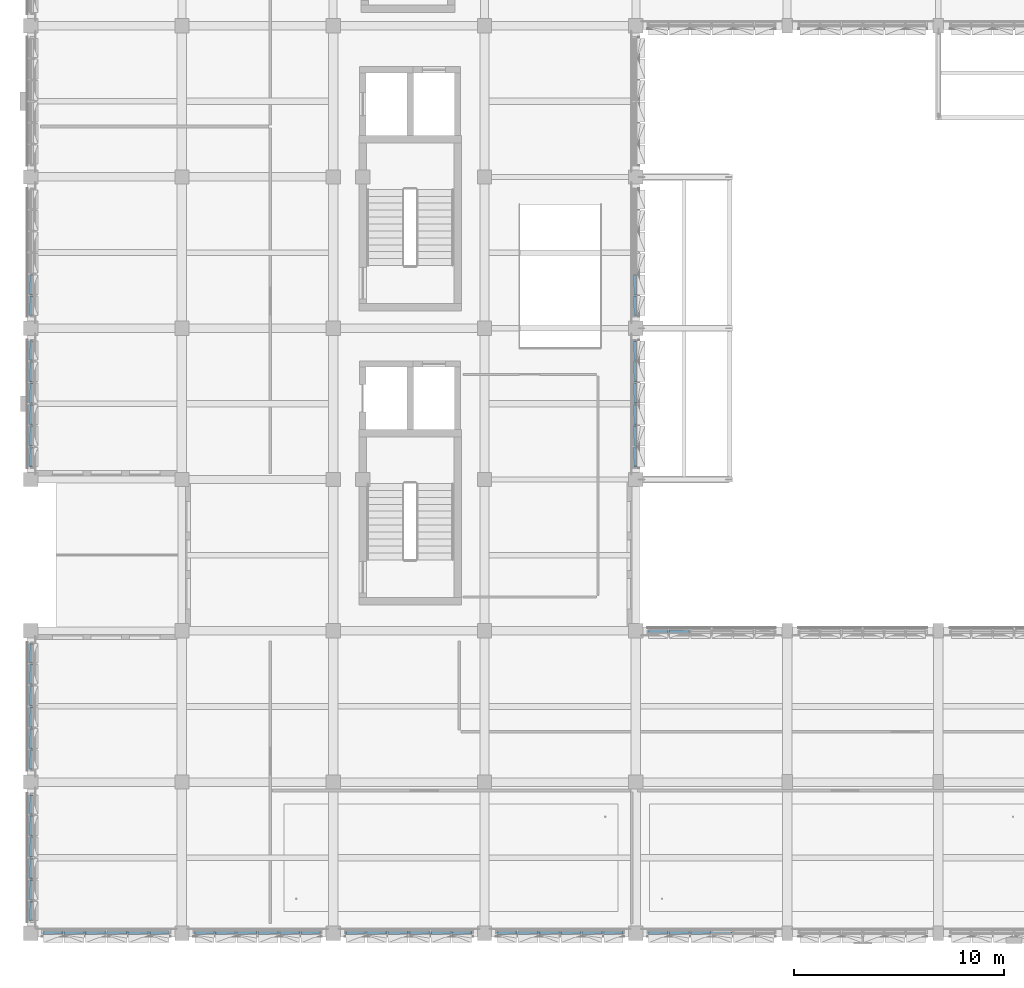
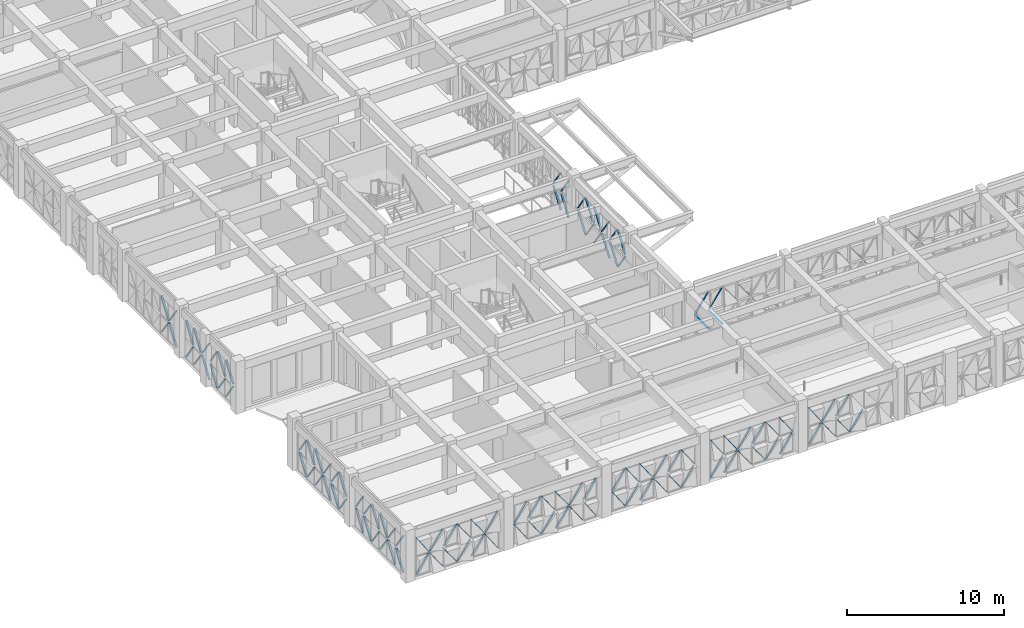
# One storey, part 51 of 88: 115 discrete accessories.
"""IFC4 building model written with IfcOpenShell, lengths in metres."""

from ifc_helpers import new_model, si_unit, direction, frame, origin, origin_2d, place, context, subcontext, project, spatial, rectangle, extrude, material, type_object, element, save


model = new_model("IFC4")

# Units and contexts
model_context = context("Model", 3, precision=1e-05, world=origin(), true_north=direction((0.0, 1.0)))
body_context = subcontext(model_context, "Body", "Model", "MODEL_VIEW")
ifc_project = project(units=[si_unit("LENGTHUNIT", "METRE"), si_unit("AREAUNIT", "SQUARE_METRE"), si_unit("VOLUMEUNIT", "CUBIC_METRE"), si_unit("PLANEANGLEUNIT", "RADIAN"), si_unit("MASSUNIT", "GRAM", prefix="KILO")], contexts=[model_context])

# Site, building, storey
site_placement = place(None, origin())
site = spatial("IfcSite", under=ifc_project, at=site_placement, CompositionType="ELEMENT")
building_placement = place(site_placement, origin())
building = spatial("IfcBuilding", under=site, at=building_placement, Name="Alvorim Cloister Faculty of Sciences", CompositionType="ELEMENT")
storey_placement = place(building_placement, frame((0.0, 0.0, 4.5)))
storey = spatial("IfcBuildingStorey", under=building, at=storey_placement, Name="L01", CompositionType="ELEMENT", Elevation=4.5)

# Discrete accessories
ifc_material = material(Name="Aluminium Alloy 6063-T6", Category="aluminium")
discrete_accessory_type = type_object("IfcDiscreteAccessoryType", Name="ACC-DIAG-BAR", PredefinedType="BRACKET", material=ifc_material)
for number, where, z_axis, x_axis, name in (
    (1, (0.0224609375, 22.215087890625, 1.5048828125), (0.006169296436, 0.559299386617, -0.828942782049), (-0.999939170679, 0.011029729889, 0.0), "Diagonal Cassette Glazing Bracket ACC-00001"),
    (2, (0.0224609375, 22.215087890625, 1.6650390625), (0.006169296436, 0.559299386617, 0.828942782049), (-0.999939170679, 0.011029729889, 0.0), "Diagonal Cassette Glazing Bracket ACC-00002"),
):
    element("IfcDiscreteAccessory", number, at=place(storey_placement, frame(where, z_axis=z_axis, x_axis=x_axis)), inside=storey, type_object=discrete_accessory_type, Name=name, PredefinedType="BRACKET", context=body_context, shape_type="SweptSolid", body=[
        extrude(rectangle(XDim=0.139892578125, YDim=0.044921875, at=origin_2d()), origin(), (0.0, 0.0, 1.0), 1.62255859375),
    ])
for number, where, z_axis, x_axis, name in (
    (3, (0.0224609375, 23.197509765625, 1.5048828125), (0.00608926839, 0.574916047252, -0.818189745366), (-0.999943913952, 0.010590984364, 0.0), "Diagonal Cassette Glazing Bracket ACC-00003"),
    (4, (0.0224609375, 23.197509765625, 1.6650390625), (0.00608926839, 0.574916047252, 0.818189745366), (-0.999943913952, 0.010590984364, 0.0), "Diagonal Cassette Glazing Bracket ACC-00004"),
    (5, (0.0224609375, 24.217529296875, 0.159912109375), (0.00608926839, 0.574916047252, 0.818189745366), (-0.999943913952, 0.010590984364, 0.0), "Diagonal Cassette Glazing Bracket ACC-00005"),
    (6, (0.0224609375, 24.217529296875, 3.010009765625), (0.00608926839, 0.574916047252, -0.818189745366), (-0.999943913952, 0.010590984364, 0.0), "Diagonal Cassette Glazing Bracket ACC-00006"),
    (7, (0.0224609375, 25.237548828125, 0.159912109375), (0.00608926839, 0.574916047252, 0.818189745366), (-0.999943913952, 0.010590984364, 0.0), "Diagonal Cassette Glazing Bracket ACC-00007"),
    (8, (0.0224609375, 25.237548828125, 3.010009765625), (0.00608926839, 0.574916047252, -0.818189745366), (-0.999943913952, 0.010590984364, 0.0), "Diagonal Cassette Glazing Bracket ACC-00008"),
    (9, (0.0224609375, 26.257568359375, 1.5048828125), (0.006089788326, 0.574816605447, -0.818259607081), (-0.999943884966, 0.010593720745, 0.0), "Diagonal Cassette Glazing Bracket ACC-00009"),
    (10, (0.0224609375, 26.257568359375, 1.6650390625), (0.006089788326, 0.574816605447, 0.818259607081), (-0.999943884966, 0.010593720745, 0.0), "Diagonal Cassette Glazing Bracket ACC-00010"),
):
    element("IfcDiscreteAccessory", number, at=place(storey_placement, frame(where, z_axis=z_axis, x_axis=x_axis)), inside=storey, type_object=discrete_accessory_type, Name=name, PredefinedType="BRACKET", context=body_context, shape_type="SweptSolid", body=[
        extrude(rectangle(XDim=0.139892578125, YDim=0.044921875, at=origin_2d()), origin(), (0.0, 0.0, 1.0), 1.643798828125),
    ])
for number, where, z_axis, x_axis, name in (
    (11, (0.0224609375, 27.277587890625, 1.5048828125), (0.006169296436, 0.559299386617, -0.828942782049), (-0.999939170679, 0.011029729889, 0.0), "Diagonal Cassette Glazing Bracket ACC-00011"),
    (12, (0.0224609375, 27.277587890625, 1.6650390625), (0.006169296436, 0.559299386617, 0.828942782049), (-0.999939170679, 0.011029729889, 0.0), "Diagonal Cassette Glazing Bracket ACC-00012"),
    (13, (0.0224609375, 29.4150390625, 0.159912109375), (0.006169296436, 0.559299386617, 0.828942782049), (-0.999939170679, 0.011029729889, 0.0), "Diagonal Cassette Glazing Bracket ACC-00014"),
    (14, (0.0224609375, 29.4150390625, 3.010009765625), (0.006169296436, 0.559299386617, -0.828942782049), (-0.999939170679, 0.011029729889, 0.0), "Diagonal Cassette Glazing Bracket ACC-00015"),
):
    element("IfcDiscreteAccessory", number, at=place(storey_placement, frame(where, z_axis=z_axis, x_axis=x_axis)), inside=storey, type_object=discrete_accessory_type, Name=name, PredefinedType="BRACKET", context=body_context, shape_type="SweptSolid", body=[
        extrude(rectangle(XDim=0.139892578125, YDim=0.044921875, at=origin_2d()), origin(), (0.0, 0.0, 1.0), 1.62255859375),
    ])
for number, where, z_axis, x_axis, name in (
    (15, (0.0224609375, 30.3974609375, 1.5048828125), (0.00608926839, 0.574916047252, -0.818189745366), (-0.999943913952, 0.010590984364, 0.0), "Diagonal Cassette Glazing Bracket ACC-00016"),
    (16, (0.0224609375, 30.3974609375, 1.6650390625), (0.00608926839, 0.574916047252, 0.818189745366), (-0.999943913952, 0.010590984364, 0.0), "Diagonal Cassette Glazing Bracket ACC-00017"),
):
    element("IfcDiscreteAccessory", number, at=place(storey_placement, frame(where, z_axis=z_axis, x_axis=x_axis)), inside=storey, type_object=discrete_accessory_type, Name=name, PredefinedType="BRACKET", context=body_context, shape_type="SweptSolid", body=[
        extrude(rectangle(XDim=0.139892578125, YDim=0.044921875, at=origin_2d()), origin(), (0.0, 0.0, 1.0), 1.643798828125),
    ])
for number, where, z_axis, x_axis, name in (
    (17, (28.777587890625, 29.4150390625, 0.159912109375), (-0.006169296436, 0.559299386617, 0.828942782049), (-0.999939170679, -0.011029729889, 0.0), "Diagonal Cassette Glazing Bracket ACC-00227"),
    (18, (28.777587890625, 29.4150390625, 3.010009765625), (-0.006169296436, 0.559299386617, -0.828942782049), (-0.999939170679, -0.011029729889, 0.0), "Diagonal Cassette Glazing Bracket ACC-00228"),
):
    element("IfcDiscreteAccessory", number, at=place(storey_placement, frame(where, z_axis=z_axis, x_axis=x_axis)), inside=storey, type_object=discrete_accessory_type, Name=name, PredefinedType="BRACKET", context=body_context, shape_type="SweptSolid", body=[
        extrude(rectangle(XDim=0.139892578125, YDim=0.044921875, at=origin_2d()), origin(), (0.0, 0.0, 1.0), 1.62255859375),
    ])
for number, where, z_axis, x_axis, name in (
    (19, (28.777587890625, 30.3974609375, 0.159912109375), (-0.00608926839, 0.574916047252, 0.818189745366), (-0.999943913952, -0.010590984364, 0.0), "Diagonal Cassette Glazing Bracket ACC-00229"),
    (20, (28.777587890625, 30.3974609375, 3.010009765625), (-0.00608926839, 0.574916047252, -0.818189745366), (-0.999943913952, -0.010590984364, 0.0), "Diagonal Cassette Glazing Bracket ACC-00230"),
):
    element("IfcDiscreteAccessory", number, at=place(storey_placement, frame(where, z_axis=z_axis, x_axis=x_axis)), inside=storey, type_object=discrete_accessory_type, Name=name, PredefinedType="BRACKET", context=body_context, shape_type="SweptSolid", body=[
        extrude(rectangle(XDim=0.139892578125, YDim=0.044921875, at=origin_2d()), origin(), (0.0, 0.0, 1.0), 1.643798828125),
    ])
for number, where, z_axis, x_axis, name in (
    (21, (28.777587890625, 22.215087890625, 1.5048828125), (-0.006169296436, 0.559299386617, -0.828942782049), (-0.999939170679, -0.011029729889, 0.0), "Diagonal Cassette Glazing Bracket ACC-00240"),
    (22, (28.777587890625, 22.215087890625, 1.6650390625), (-0.006169296436, 0.559299386617, 0.828942782049), (-0.999939170679, -0.011029729889, 0.0), "Diagonal Cassette Glazing Bracket ACC-00241"),
):
    element("IfcDiscreteAccessory", number, at=place(storey_placement, frame(where, z_axis=z_axis, x_axis=x_axis)), inside=storey, type_object=discrete_accessory_type, Name=name, PredefinedType="BRACKET", context=body_context, shape_type="SweptSolid", body=[
        extrude(rectangle(XDim=0.139892578125, YDim=0.044921875, at=origin_2d()), origin(), (0.0, 0.0, 1.0), 1.62255859375),
    ])
for number, where, z_axis, x_axis, name in (
    (23, (28.777587890625, 23.197509765625, 0.159912109375), (-0.00608926839, 0.574916047252, 0.818189745366), (-0.999943913952, -0.010590984364, 0.0), "Diagonal Cassette Glazing Bracket ACC-00242"),
    (24, (28.777587890625, 23.197509765625, 3.010009765625), (-0.00608926839, 0.574916047252, -0.818189745366), (-0.999943913952, -0.010590984364, 0.0), "Diagonal Cassette Glazing Bracket ACC-00243"),
    (25, (28.777587890625, 24.217529296875, 0.159912109375), (-0.00608926839, 0.574916047252, 0.818189745366), (-0.999943913952, -0.010590984364, 0.0), "Diagonal Cassette Glazing Bracket ACC-00244"),
    (26, (28.777587890625, 24.217529296875, 3.010009765625), (-0.00608926839, 0.574916047252, -0.818189745366), (-0.999943913952, -0.010590984364, 0.0), "Diagonal Cassette Glazing Bracket ACC-00245"),
    (27, (28.777587890625, 25.237548828125, 1.5048828125), (-0.00608926839, 0.574916047252, -0.818189745366), (-0.999943913952, -0.010590984364, 0.0), "Diagonal Cassette Glazing Bracket ACC-00246"),
    (28, (28.777587890625, 25.237548828125, 1.6650390625), (-0.00608926839, 0.574916047252, 0.818189745366), (-0.999943913952, -0.010590984364, 0.0), "Diagonal Cassette Glazing Bracket ACC-00247"),
    (29, (28.777587890625, 26.257568359375, 1.5048828125), (-0.006089788326, 0.574816605447, -0.818259607081), (-0.999943884966, -0.010593720745, 0.0), "Diagonal Cassette Glazing Bracket ACC-00248"),
    (30, (28.777587890625, 26.257568359375, 1.6650390625), (-0.006089788326, 0.574816605447, 0.818259607081), (-0.999943884966, -0.010593720745, 0.0), "Diagonal Cassette Glazing Bracket ACC-00249"),
):
    element("IfcDiscreteAccessory", number, at=place(storey_placement, frame(where, z_axis=z_axis, x_axis=x_axis)), inside=storey, type_object=discrete_accessory_type, Name=name, PredefinedType="BRACKET", context=body_context, shape_type="SweptSolid", body=[
        extrude(rectangle(XDim=0.139892578125, YDim=0.044921875, at=origin_2d()), origin(), (0.0, 0.0, 1.0), 1.643798828125),
    ])
for number, where, z_axis, x_axis, name in (
    (31, (28.777587890625, 27.277587890625, 0.159912109375), (-0.006169296436, 0.559299386617, 0.828942782049), (-0.999939170679, -0.011029729889, 0.0), "Diagonal Cassette Glazing Bracket ACC-00250"),
    (32, (28.777587890625, 27.277587890625, 3.010009765625), (-0.006169296436, 0.559299386617, -0.828942782049), (-0.999939170679, -0.011029729889, 0.0), "Diagonal Cassette Glazing Bracket ACC-00251"),
    (33, (29.4150390625, 14.37744140625, 1.5048828125), (0.559299386617, -0.006169296436, -0.828942782049), (0.011029729889, 0.999939170679, 0.0), "Diagonal Cassette Glazing Bracket ACC-00253"),
    (34, (29.4150390625, 14.37744140625, 1.6650390625), (0.559299386617, -0.006169296436, 0.828942782049), (0.011029729889, 0.999939170679, 0.0), "Diagonal Cassette Glazing Bracket ACC-00254"),
):
    element("IfcDiscreteAccessory", number, at=place(storey_placement, frame(where, z_axis=z_axis, x_axis=x_axis)), inside=storey, type_object=discrete_accessory_type, Name=name, PredefinedType="BRACKET", context=body_context, shape_type="SweptSolid", body=[
        extrude(rectangle(XDim=0.139892578125, YDim=0.044921875, at=origin_2d()), origin(), (0.0, 0.0, 1.0), 1.62255859375),
    ])
for number, where, z_axis, x_axis, name in (
    (35, (30.3974609375, 14.37744140625, 1.5048828125), (0.574916047252, -0.00608926839, -0.818189745366), (0.010590984364, 0.999943913952, 0.0), "Diagonal Cassette Glazing Bracket ACC-00255"),
    (36, (30.3974609375, 14.37744140625, 1.6650390625), (0.574916047252, -0.00608926839, 0.818189745366), (0.010590984364, 0.999943913952, 0.0), "Diagonal Cassette Glazing Bracket ACC-00256"),
):
    element("IfcDiscreteAccessory", number, at=place(storey_placement, frame(where, z_axis=z_axis, x_axis=x_axis)), inside=storey, type_object=discrete_accessory_type, Name=name, PredefinedType="BRACKET", context=body_context, shape_type="SweptSolid", body=[
        extrude(rectangle(XDim=0.139892578125, YDim=0.044921875, at=origin_2d()), origin(), (0.0, 0.0, 1.0), 1.643798828125),
    ])
for number, where, z_axis, x_axis, name in (
    (37, (29.4150390625, 0.0224609375, 0.159912109375), (0.559299386617, 0.006169296436, 0.828942782049), (-0.011029729889, 0.999939170679, 0.0), "Diagonal Cassette Glazing Bracket ACC-00396"),
    (38, (29.4150390625, 0.0224609375, 3.010009765625), (0.559299386617, 0.006169296436, -0.828942782049), (-0.011029729889, 0.999939170679, 0.0), "Diagonal Cassette Glazing Bracket ACC-00397"),
):
    element("IfcDiscreteAccessory", number, at=place(storey_placement, frame(where, z_axis=z_axis, x_axis=x_axis)), inside=storey, type_object=discrete_accessory_type, Name=name, PredefinedType="BRACKET", context=body_context, shape_type="SweptSolid", body=[
        extrude(rectangle(XDim=0.139892578125, YDim=0.044921875, at=origin_2d()), origin(), (0.0, 0.0, 1.0), 1.62255859375),
    ])
for number, where, z_axis, x_axis, name in (
    (39, (30.3974609375, 0.0224609375, 1.5048828125), (0.574916047252, 0.00608926839, -0.818189745366), (-0.010590984364, 0.999943913952, 0.0), "Diagonal Cassette Glazing Bracket ACC-00398"),
    (40, (30.3974609375, 0.0224609375, 1.6650390625), (0.574916047252, 0.00608926839, 0.818189745366), (-0.010590984364, 0.999943913952, 0.0), "Diagonal Cassette Glazing Bracket ACC-00399"),
    (41, (31.41748046875, 0.0224609375, 1.5048828125), (0.574916047252, 0.00608926839, -0.818189745366), (-0.010590984364, 0.999943913952, 0.0), "Diagonal Cassette Glazing Bracket ACC-00400"),
    (42, (31.41748046875, 0.0224609375, 1.6650390625), (0.574916047252, 0.00608926839, 0.818189745366), (-0.010590984364, 0.999943913952, 0.0), "Diagonal Cassette Glazing Bracket ACC-00401"),
    (43, (32.4375, 0.0224609375, 0.159912109375), (0.574916047252, 0.00608926839, 0.818189745366), (-0.010590984364, 0.999943913952, 0.0), "Diagonal Cassette Glazing Bracket ACC-00402"),
):
    element("IfcDiscreteAccessory", number, at=place(storey_placement, frame(where, z_axis=z_axis, x_axis=x_axis)), inside=storey, type_object=discrete_accessory_type, Name=name, PredefinedType="BRACKET", context=body_context, shape_type="SweptSolid", body=[
        extrude(rectangle(XDim=0.139892578125, YDim=0.044921875, at=origin_2d()), origin(), (0.0, 0.0, 1.0), 1.643798828125),
    ])
for number, where, z_axis, x_axis, name in (
    (44, (22.215087890625, 0.0224609375, 0.159912109375), (0.559299386617, 0.006169296436, 0.828942782049), (-0.011029729889, 0.999939170679, 0.0), "Diagonal Cassette Glazing Bracket ACC-00409"),
    (45, (22.215087890625, 0.0224609375, 3.010009765625), (0.559299386617, 0.006169296436, -0.828942782049), (-0.011029729889, 0.999939170679, 0.0), "Diagonal Cassette Glazing Bracket ACC-00410"),
):
    element("IfcDiscreteAccessory", number, at=place(storey_placement, frame(where, z_axis=z_axis, x_axis=x_axis)), inside=storey, type_object=discrete_accessory_type, Name=name, PredefinedType="BRACKET", context=body_context, shape_type="SweptSolid", body=[
        extrude(rectangle(XDim=0.139892578125, YDim=0.044921875, at=origin_2d()), origin(), (0.0, 0.0, 1.0), 1.62255859375),
    ])
for number, where, z_axis, x_axis, name in (
    (46, (23.197509765625, 0.0224609375, 0.159912109375), (0.574916047252, 0.00608926839, 0.818189745366), (-0.010590984364, 0.999943913952, 0.0), "Diagonal Cassette Glazing Bracket ACC-00411"),
    (47, (23.197509765625, 0.0224609375, 3.010009765625), (0.574916047252, 0.00608926839, -0.818189745366), (-0.010590984364, 0.999943913952, 0.0), "Diagonal Cassette Glazing Bracket ACC-00412"),
    (48, (24.217529296875, 0.0224609375, 1.5048828125), (0.574916047252, 0.00608926839, -0.818189745366), (-0.010590984364, 0.999943913952, 0.0), "Diagonal Cassette Glazing Bracket ACC-00413"),
    (49, (24.217529296875, 0.0224609375, 1.6650390625), (0.574916047252, 0.00608926839, 0.818189745366), (-0.010590984364, 0.999943913952, 0.0), "Diagonal Cassette Glazing Bracket ACC-00414"),
    (50, (25.237548828125, 0.0224609375, 1.5048828125), (0.574916047252, 0.00608926839, -0.818189745366), (-0.010590984364, 0.999943913952, 0.0), "Diagonal Cassette Glazing Bracket ACC-00415"),
    (51, (25.237548828125, 0.0224609375, 1.6650390625), (0.574916047252, 0.00608926839, 0.818189745366), (-0.010590984364, 0.999943913952, 0.0), "Diagonal Cassette Glazing Bracket ACC-00416"),
    (52, (26.257568359375, 0.0224609375, 0.159912109375), (0.574816605447, 0.006089788326, 0.818259607081), (-0.010593720745, 0.999943884966, 0.0), "Diagonal Cassette Glazing Bracket ACC-00417"),
    (53, (26.257568359375, 0.0224609375, 3.010009765625), (0.574816605447, 0.006089788326, -0.818259607081), (-0.010593720745, 0.999943884966, 0.0), "Diagonal Cassette Glazing Bracket ACC-00418"),
):
    element("IfcDiscreteAccessory", number, at=place(storey_placement, frame(where, z_axis=z_axis, x_axis=x_axis)), inside=storey, type_object=discrete_accessory_type, Name=name, PredefinedType="BRACKET", context=body_context, shape_type="SweptSolid", body=[
        extrude(rectangle(XDim=0.139892578125, YDim=0.044921875, at=origin_2d()), origin(), (0.0, 0.0, 1.0), 1.643798828125),
    ])
for number, where, z_axis, x_axis, name in (
    (54, (27.277587890625, 0.0224609375, 0.159912109375), (0.559299386617, 0.006169296436, 0.828942782049), (-0.011029729889, 0.999939170679, 0.0), "Diagonal Cassette Glazing Bracket ACC-00419"),
    (55, (27.277587890625, 0.0224609375, 3.010009765625), (0.559299386617, 0.006169296436, -0.828942782049), (-0.011029729889, 0.999939170679, 0.0), "Diagonal Cassette Glazing Bracket ACC-00420"),
    (56, (15.014892578125, 0.0224609375, 1.5048828125), (0.559402774614, 0.006168777235, -0.82887301919), (-0.011026763674, 0.999939203393, 0.0), "Diagonal Cassette Glazing Bracket ACC-00422"),
    (57, (15.014892578125, 0.0224609375, 1.6650390625), (0.559402774614, 0.006168777235, 0.82887301919), (-0.011026763674, 0.999939203393, 0.0), "Diagonal Cassette Glazing Bracket ACC-00423"),
):
    element("IfcDiscreteAccessory", number, at=place(storey_placement, frame(where, z_axis=z_axis, x_axis=x_axis)), inside=storey, type_object=discrete_accessory_type, Name=name, PredefinedType="BRACKET", context=body_context, shape_type="SweptSolid", body=[
        extrude(rectangle(XDim=0.139892578125, YDim=0.044921875, at=origin_2d()), origin(), (0.0, 0.0, 1.0), 1.62255859375),
    ])
for number, where, z_axis, x_axis, name in (
    (58, (15.99755859375, 0.0224609375, 0.159912109375), (0.574816605447, 0.006089788326, 0.818259607081), (-0.010593720745, 0.999943884966, 0.0), "Diagonal Cassette Glazing Bracket ACC-00424"),
    (59, (15.99755859375, 0.0224609375, 3.010009765625), (0.574816605447, 0.006089788326, -0.818259607081), (-0.010593720745, 0.999943884966, 0.0), "Diagonal Cassette Glazing Bracket ACC-00425"),
    (60, (17.017578125, 0.0224609375, 0.159912109375), (0.574816605447, 0.006089788326, 0.818259607081), (-0.010593720745, 0.999943884966, 0.0), "Diagonal Cassette Glazing Bracket ACC-00426"),
    (61, (17.017578125, 0.0224609375, 3.010009765625), (0.574816605447, 0.006089788326, -0.818259607081), (-0.010593720745, 0.999943884966, 0.0), "Diagonal Cassette Glazing Bracket ACC-00427"),
    (62, (18.03759765625, 0.0224609375, 1.5048828125), (0.574816605447, 0.006089788326, -0.818259607081), (-0.010593720745, 0.999943884966, 0.0), "Diagonal Cassette Glazing Bracket ACC-00428"),
    (63, (18.03759765625, 0.0224609375, 1.6650390625), (0.574816605447, 0.006089788326, 0.818259607081), (-0.010593720745, 0.999943884966, 0.0), "Diagonal Cassette Glazing Bracket ACC-00429"),
    (64, (19.0576171875, 0.0224609375, 1.5048828125), (0.574816605447, 0.006089788326, -0.818259607081), (-0.010593720745, 0.999943884966, 0.0), "Diagonal Cassette Glazing Bracket ACC-00430"),
    (65, (19.0576171875, 0.0224609375, 1.6650390625), (0.574816605447, 0.006089788326, 0.818259607081), (-0.010593720745, 0.999943884966, 0.0), "Diagonal Cassette Glazing Bracket ACC-00431"),
):
    element("IfcDiscreteAccessory", number, at=place(storey_placement, frame(where, z_axis=z_axis, x_axis=x_axis)), inside=storey, type_object=discrete_accessory_type, Name=name, PredefinedType="BRACKET", context=body_context, shape_type="SweptSolid", body=[
        extrude(rectangle(XDim=0.139892578125, YDim=0.044921875, at=origin_2d()), origin(), (0.0, 0.0, 1.0), 1.643798828125),
    ])
for number, where, z_axis, x_axis, name in (
    (66, (20.077392578125, 0.0224609375, 0.159912109375), (0.559402774614, 0.006168777235, 0.82887301919), (-0.011026763674, 0.999939203393, 0.0), "Diagonal Cassette Glazing Bracket ACC-00432"),
    (67, (20.077392578125, 0.0224609375, 3.010009765625), (0.559402774614, 0.006168777235, -0.82887301919), (-0.011026763674, 0.999939203393, 0.0), "Diagonal Cassette Glazing Bracket ACC-00433"),
    (68, (7.81494140625, 0.0224609375, 1.5048828125), (0.559299386617, 0.006169296436, -0.828942782049), (-0.011029729889, 0.999939170679, 0.0), "Diagonal Cassette Glazing Bracket ACC-00435"),
    (69, (7.81494140625, 0.0224609375, 1.6650390625), (0.559299386617, 0.006169296436, 0.828942782049), (-0.011029729889, 0.999939170679, 0.0), "Diagonal Cassette Glazing Bracket ACC-00436"),
):
    element("IfcDiscreteAccessory", number, at=place(storey_placement, frame(where, z_axis=z_axis, x_axis=x_axis)), inside=storey, type_object=discrete_accessory_type, Name=name, PredefinedType="BRACKET", context=body_context, shape_type="SweptSolid", body=[
        extrude(rectangle(XDim=0.139892578125, YDim=0.044921875, at=origin_2d()), origin(), (0.0, 0.0, 1.0), 1.62255859375),
    ])
for number, where, z_axis, x_axis, name in (
    (70, (8.797607421875, 0.0224609375, 1.5048828125), (0.574816605447, 0.006089788326, -0.818259607081), (-0.010593720745, 0.999943884966, 0.0), "Diagonal Cassette Glazing Bracket ACC-00437"),
    (71, (8.797607421875, 0.0224609375, 1.6650390625), (0.574816605447, 0.006089788326, 0.818259607081), (-0.010593720745, 0.999943884966, 0.0), "Diagonal Cassette Glazing Bracket ACC-00438"),
    (72, (9.8173828125, 0.0224609375, 0.159912109375), (0.574916047252, 0.00608926839, 0.818189745366), (-0.010590984364, 0.999943913952, 0.0), "Diagonal Cassette Glazing Bracket ACC-00439"),
    (73, (9.8173828125, 0.0224609375, 3.010009765625), (0.574916047252, 0.00608926839, -0.818189745366), (-0.010590984364, 0.999943913952, 0.0), "Diagonal Cassette Glazing Bracket ACC-00440"),
    (74, (10.83740234375, 0.0224609375, 0.159912109375), (0.574916047252, 0.00608926839, 0.818189745366), (-0.010590984364, 0.999943913952, 0.0), "Diagonal Cassette Glazing Bracket ACC-00441"),
    (75, (10.83740234375, 0.0224609375, 3.010009765625), (0.574916047252, 0.00608926839, -0.818189745366), (-0.010590984364, 0.999943913952, 0.0), "Diagonal Cassette Glazing Bracket ACC-00442"),
    (76, (11.857421875, 0.0224609375, 1.5048828125), (0.574916047252, 0.00608926839, -0.818189745366), (-0.010590984364, 0.999943913952, 0.0), "Diagonal Cassette Glazing Bracket ACC-00443"),
    (77, (11.857421875, 0.0224609375, 1.6650390625), (0.574916047252, 0.00608926839, 0.818189745366), (-0.010590984364, 0.999943913952, 0.0), "Diagonal Cassette Glazing Bracket ACC-00444"),
):
    element("IfcDiscreteAccessory", number, at=place(storey_placement, frame(where, z_axis=z_axis, x_axis=x_axis)), inside=storey, type_object=discrete_accessory_type, Name=name, PredefinedType="BRACKET", context=body_context, shape_type="SweptSolid", body=[
        extrude(rectangle(XDim=0.139892578125, YDim=0.044921875, at=origin_2d()), origin(), (0.0, 0.0, 1.0), 1.643798828125),
    ])
for number, where, z_axis, x_axis, name in (
    (78, (12.87744140625, 0.0224609375, 1.5048828125), (0.559299386617, 0.006169296436, -0.828942782049), (-0.011029729889, 0.999939170679, 0.0), "Diagonal Cassette Glazing Bracket ACC-00445"),
    (79, (12.87744140625, 0.0224609375, 1.6650390625), (0.559299386617, 0.006169296436, 0.828942782049), (-0.011029729889, 0.999939170679, 0.0), "Diagonal Cassette Glazing Bracket ACC-00446"),
    (80, (0.614990234375, 0.0224609375, 0.159912109375), (0.559299386617, 0.006169296436, 0.828942782049), (-0.011029729889, 0.999939170679, 0.0), "Diagonal Cassette Glazing Bracket ACC-00448"),
    (81, (0.614990234375, 0.0224609375, 3.010009765625), (0.559299386617, 0.006169296436, -0.828942782049), (-0.011029729889, 0.999939170679, 0.0), "Diagonal Cassette Glazing Bracket ACC-00449"),
):
    element("IfcDiscreteAccessory", number, at=place(storey_placement, frame(where, z_axis=z_axis, x_axis=x_axis)), inside=storey, type_object=discrete_accessory_type, Name=name, PredefinedType="BRACKET", context=body_context, shape_type="SweptSolid", body=[
        extrude(rectangle(XDim=0.139892578125, YDim=0.044921875, at=origin_2d()), origin(), (0.0, 0.0, 1.0), 1.62255859375),
    ])
for number, where, z_axis, x_axis, name in (
    (82, (1.597412109375, 0.0224609375, 1.5048828125), (0.574916047252, 0.00608926839, -0.818189745366), (-0.010590984364, 0.999943913952, 0.0), "Diagonal Cassette Glazing Bracket ACC-00450"),
    (83, (1.597412109375, 0.0224609375, 1.6650390625), (0.574916047252, 0.00608926839, 0.818189745366), (-0.010590984364, 0.999943913952, 0.0), "Diagonal Cassette Glazing Bracket ACC-00451"),
    (84, (2.617431640625, 0.0224609375, 1.5048828125), (0.574916047252, 0.00608926839, -0.818189745366), (-0.010590984364, 0.999943913952, 0.0), "Diagonal Cassette Glazing Bracket ACC-00452"),
    (85, (2.617431640625, 0.0224609375, 1.6650390625), (0.574916047252, 0.00608926839, 0.818189745366), (-0.010590984364, 0.999943913952, 0.0), "Diagonal Cassette Glazing Bracket ACC-00453"),
    (86, (3.637451171875, 0.0224609375, 0.159912109375), (0.574916047252, 0.00608926839, 0.818189745366), (-0.010590984364, 0.999943913952, 0.0), "Diagonal Cassette Glazing Bracket ACC-00454"),
    (87, (3.637451171875, 0.0224609375, 3.010009765625), (0.574916047252, 0.00608926839, -0.818189745366), (-0.010590984364, 0.999943913952, 0.0), "Diagonal Cassette Glazing Bracket ACC-00455"),
    (88, (4.657470703125, 0.0224609375, 0.159912109375), (0.574916047252, 0.00608926839, 0.818189745366), (-0.010590984364, 0.999943913952, 0.0), "Diagonal Cassette Glazing Bracket ACC-00456"),
    (89, (4.657470703125, 0.0224609375, 3.010009765625), (0.574916047252, 0.00608926839, -0.818189745366), (-0.010590984364, 0.999943913952, 0.0), "Diagonal Cassette Glazing Bracket ACC-00457"),
):
    element("IfcDiscreteAccessory", number, at=place(storey_placement, frame(where, z_axis=z_axis, x_axis=x_axis)), inside=storey, type_object=discrete_accessory_type, Name=name, PredefinedType="BRACKET", context=body_context, shape_type="SweptSolid", body=[
        extrude(rectangle(XDim=0.139892578125, YDim=0.044921875, at=origin_2d()), origin(), (0.0, 0.0, 1.0), 1.643798828125),
    ])
for number, where, z_axis, x_axis, name in (
    (90, (5.677490234375, 0.0224609375, 1.5048828125), (0.559299386617, 0.006169296436, -0.828942782049), (-0.011029729889, 0.999939170679, 0.0), "Diagonal Cassette Glazing Bracket ACC-00458"),
    (91, (5.677490234375, 0.0224609375, 1.6650390625), (0.559299386617, 0.006169296436, 0.828942782049), (-0.011029729889, 0.999939170679, 0.0), "Diagonal Cassette Glazing Bracket ACC-00459"),
    (92, (0.0224609375, 0.614990234375, 0.159912109375), (0.006169296436, 0.559299386617, 0.828942782049), (-0.999939170679, 0.011029729889, 0.0), "Diagonal Cassette Glazing Bracket ACC-00461"),
    (93, (0.0224609375, 0.614990234375, 3.010009765625), (0.006169296436, 0.559299386617, -0.828942782049), (-0.999939170679, 0.011029729889, 0.0), "Diagonal Cassette Glazing Bracket ACC-00462"),
):
    element("IfcDiscreteAccessory", number, at=place(storey_placement, frame(where, z_axis=z_axis, x_axis=x_axis)), inside=storey, type_object=discrete_accessory_type, Name=name, PredefinedType="BRACKET", context=body_context, shape_type="SweptSolid", body=[
        extrude(rectangle(XDim=0.139892578125, YDim=0.044921875, at=origin_2d()), origin(), (0.0, 0.0, 1.0), 1.62255859375),
    ])
for number, where, z_axis, x_axis, name in (
    (94, (0.0224609375, 1.597412109375, 0.159912109375), (0.00608926839, 0.574916047252, 0.818189745366), (-0.999943913952, 0.010590984364, 0.0), "Diagonal Cassette Glazing Bracket ACC-00463"),
    (95, (0.0224609375, 1.597412109375, 3.010009765625), (0.00608926839, 0.574916047252, -0.818189745366), (-0.999943913952, 0.010590984364, 0.0), "Diagonal Cassette Glazing Bracket ACC-00464"),
    (96, (0.0224609375, 2.617431640625, 1.5048828125), (0.00608926839, 0.574916047252, -0.818189745366), (-0.999943913952, 0.010590984364, 0.0), "Diagonal Cassette Glazing Bracket ACC-00465"),
    (97, (0.0224609375, 2.617431640625, 1.6650390625), (0.00608926839, 0.574916047252, 0.818189745366), (-0.999943913952, 0.010590984364, 0.0), "Diagonal Cassette Glazing Bracket ACC-00466"),
    (98, (0.0224609375, 3.637451171875, 1.5048828125), (0.00608926839, 0.574916047252, -0.818189745366), (-0.999943913952, 0.010590984364, 0.0), "Diagonal Cassette Glazing Bracket ACC-00467"),
    (99, (0.0224609375, 3.637451171875, 1.6650390625), (0.00608926839, 0.574916047252, 0.818189745366), (-0.999943913952, 0.010590984364, 0.0), "Diagonal Cassette Glazing Bracket ACC-00468"),
    (100, (0.0224609375, 4.657470703125, 0.159912109375), (0.00608926839, 0.574916047252, 0.818189745366), (-0.999943913952, 0.010590984364, 0.0), "Diagonal Cassette Glazing Bracket ACC-00469"),
    (101, (0.0224609375, 4.657470703125, 3.010009765625), (0.00608926839, 0.574916047252, -0.818189745366), (-0.999943913952, 0.010590984364, 0.0), "Diagonal Cassette Glazing Bracket ACC-00470"),
):
    element("IfcDiscreteAccessory", number, at=place(storey_placement, frame(where, z_axis=z_axis, x_axis=x_axis)), inside=storey, type_object=discrete_accessory_type, Name=name, PredefinedType="BRACKET", context=body_context, shape_type="SweptSolid", body=[
        extrude(rectangle(XDim=0.139892578125, YDim=0.044921875, at=origin_2d()), origin(), (0.0, 0.0, 1.0), 1.643798828125),
    ])
for number, where, z_axis, x_axis, name in (
    (102, (0.0224609375, 5.677490234375, 0.159912109375), (0.006169296436, 0.559299386617, 0.828942782049), (-0.999939170679, 0.011029729889, 0.0), "Diagonal Cassette Glazing Bracket ACC-00471"),
    (103, (0.0224609375, 5.677490234375, 3.010009765625), (0.006169296436, 0.559299386617, -0.828942782049), (-0.999939170679, 0.011029729889, 0.0), "Diagonal Cassette Glazing Bracket ACC-00472"),
    (104, (0.0224609375, 7.81494140625, 1.5048828125), (0.006169296436, 0.559299386617, -0.828942782049), (-0.999939170679, 0.011029729889, 0.0), "Diagonal Cassette Glazing Bracket ACC-00474"),
    (105, (0.0224609375, 7.81494140625, 1.6650390625), (0.006169296436, 0.559299386617, 0.828942782049), (-0.999939170679, 0.011029729889, 0.0), "Diagonal Cassette Glazing Bracket ACC-00475"),
):
    element("IfcDiscreteAccessory", number, at=place(storey_placement, frame(where, z_axis=z_axis, x_axis=x_axis)), inside=storey, type_object=discrete_accessory_type, Name=name, PredefinedType="BRACKET", context=body_context, shape_type="SweptSolid", body=[
        extrude(rectangle(XDim=0.139892578125, YDim=0.044921875, at=origin_2d()), origin(), (0.0, 0.0, 1.0), 1.62255859375),
    ])
for number, where, z_axis, x_axis, name in (
    (106, (0.0224609375, 8.797607421875, 0.159912109375), (0.006089788326, 0.574816605447, 0.818259607081), (-0.999943884966, 0.010593720745, 0.0), "Diagonal Cassette Glazing Bracket ACC-00476"),
    (107, (0.0224609375, 8.797607421875, 3.010009765625), (0.006089788326, 0.574816605447, -0.818259607081), (-0.999943884966, 0.010593720745, 0.0), "Diagonal Cassette Glazing Bracket ACC-00477"),
    (108, (0.0224609375, 9.8173828125, 0.159912109375), (0.00608926839, 0.574916047252, 0.818189745366), (-0.999943913952, 0.010590984364, 0.0), "Diagonal Cassette Glazing Bracket ACC-00478"),
    (109, (0.0224609375, 9.8173828125, 3.010009765625), (0.00608926839, 0.574916047252, -0.818189745366), (-0.999943913952, 0.010590984364, 0.0), "Diagonal Cassette Glazing Bracket ACC-00479"),
    (110, (0.0224609375, 10.83740234375, 1.5048828125), (0.00608926839, 0.574916047252, -0.818189745366), (-0.999943913952, 0.010590984364, 0.0), "Diagonal Cassette Glazing Bracket ACC-00480"),
    (111, (0.0224609375, 10.83740234375, 1.6650390625), (0.00608926839, 0.574916047252, 0.818189745366), (-0.999943913952, 0.010590984364, 0.0), "Diagonal Cassette Glazing Bracket ACC-00481"),
    (112, (0.0224609375, 11.857421875, 1.5048828125), (0.00608926839, 0.574916047252, -0.818189745366), (-0.999943913952, 0.010590984364, 0.0), "Diagonal Cassette Glazing Bracket ACC-00482"),
    (113, (0.0224609375, 11.857421875, 1.6650390625), (0.00608926839, 0.574916047252, 0.818189745366), (-0.999943913952, 0.010590984364, 0.0), "Diagonal Cassette Glazing Bracket ACC-00483"),
):
    element("IfcDiscreteAccessory", number, at=place(storey_placement, frame(where, z_axis=z_axis, x_axis=x_axis)), inside=storey, type_object=discrete_accessory_type, Name=name, PredefinedType="BRACKET", context=body_context, shape_type="SweptSolid", body=[
        extrude(rectangle(XDim=0.139892578125, YDim=0.044921875, at=origin_2d()), origin(), (0.0, 0.0, 1.0), 1.643798828125),
    ])
for number, where, z_axis, x_axis, name in (
    (114, (0.0224609375, 12.87744140625, 0.159912109375), (0.006169296436, 0.559299386617, 0.828942782049), (-0.999939170679, 0.011029729889, 0.0), "Diagonal Cassette Glazing Bracket ACC-00484"),
    (115, (0.0224609375, 12.87744140625, 3.010009765625), (0.006169296436, 0.559299386617, -0.828942782049), (-0.999939170679, 0.011029729889, 0.0), "Diagonal Cassette Glazing Bracket ACC-00485"),
):
    element("IfcDiscreteAccessory", number, at=place(storey_placement, frame(where, z_axis=z_axis, x_axis=x_axis)), inside=storey, type_object=discrete_accessory_type, Name=name, PredefinedType="BRACKET", context=body_context, shape_type="SweptSolid", body=[
        extrude(rectangle(XDim=0.139892578125, YDim=0.044921875, at=origin_2d()), origin(), (0.0, 0.0, 1.0), 1.62255859375),
    ])

save(model, "model.ifc")
